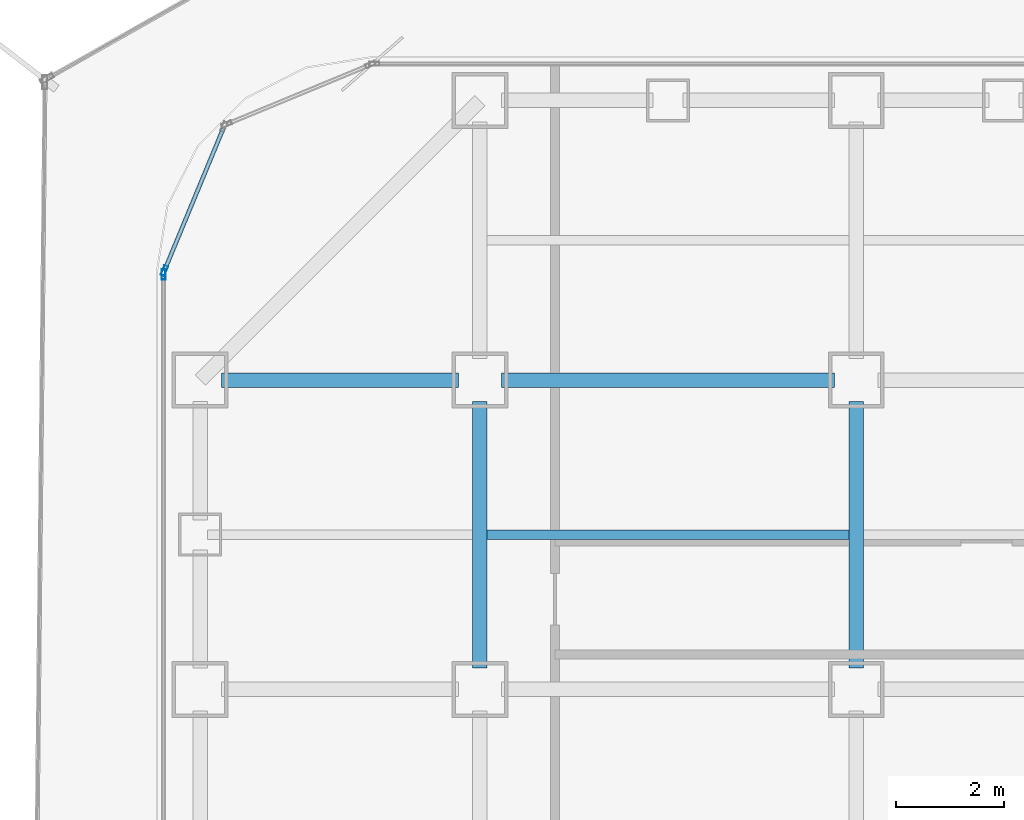
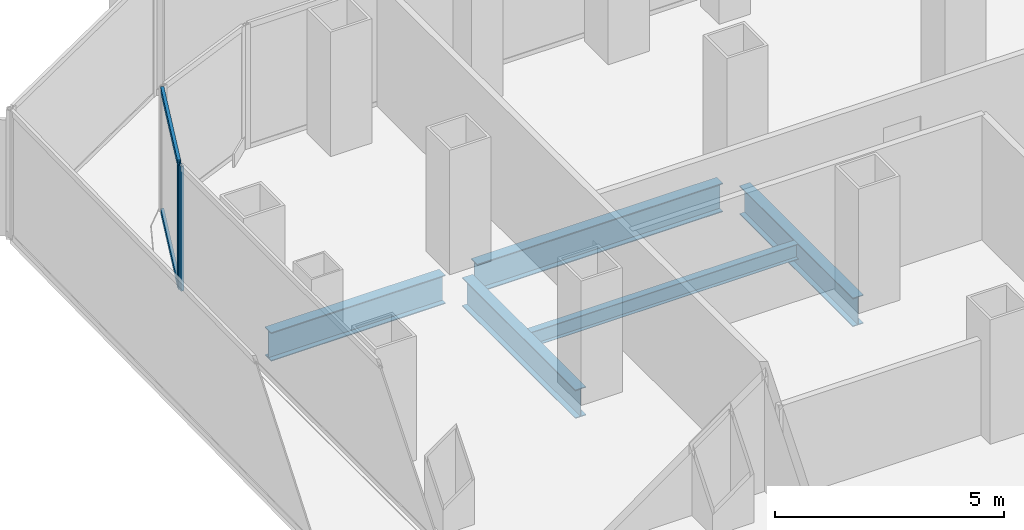
# One storey, part 10 of 21: 5 beams, 4 members, 2 elements without a shape of their own.
"""IFC4 building model written with IfcOpenShell, lengths in metres."""

from ifc_helpers import new_model, si_unit, direction, frame, origin, origin_2d, place, context, subcontext, project, spatial, hollow_rectangle, i_section, extrude, source, transform, mapped, material, layer, layer_set, material_profile, profile_set, type_object, element, aggregate, save


model = new_model("IFC4")

# Units and contexts
model_context = context("Model", 3, precision=1e-05, world=origin(), true_north=direction((0.0, 1.0)))
body_context = subcontext(model_context, "Body", "Model", "MODEL_VIEW")
ifc_project = project(units=[si_unit("LENGTHUNIT", "METRE"), si_unit("AREAUNIT", "SQUARE_METRE"), si_unit("VOLUMEUNIT", "CUBIC_METRE"), si_unit("PLANEANGLEUNIT", "RADIAN"), si_unit("MASSUNIT", "GRAM", prefix="KILO")], contexts=[model_context])

# Site, building, storey
site_placement = place(None, origin())
site = spatial("IfcSite", under=ifc_project, at=site_placement, CompositionType="ELEMENT")
building_placement = place(site_placement, origin())
building = spatial("IfcBuilding", under=site, at=building_placement, Name="Kolveth Station Tower", CompositionType="ELEMENT")
storey_placement = place(building_placement, frame((0.0, 0.0, 40.5)))
storey = spatial("IfcBuildingStorey", under=building, at=storey_placement, Name="L10", CompositionType="ELEMENT", Elevation=40.5)

# Beams
ifc_material_1 = material(Name="Steel S355", Category="steel")
ifc_material_profile_1 = material_profile(ifc_material_1, i_section(OverallWidth=0.26708984375, OverallDepth=0.76611328125, WebThickness=0.014892578125, FlangeThickness=0.023681640625, at=origin_2d()), Name="W760x185")
ifc_profile_set_1 = profile_set([ifc_material_profile_1], Name="Steel S355")
beam_type_1 = type_object("IfcBeamType", Name="Beam_B3", PredefinedType="BEAM", material=ifc_profile_set_1)
shared_shape_1 = source(origin(), body_context, "Body", "SweptSolid", [
    extrude(i_section(OverallWidth=0.26708984375, OverallDepth=0.76611328125, WebThickness=0.014892578125, FlangeThickness=0.023681640625, at=origin_2d()), origin(), (0.0, 0.0, 1.0), 4.400146484375),
])
beam_1_placement = place(storey_placement, frame((1.199951171875, 34.5, -0.6630859375), z_axis=(1.0, 0.0, 0.0), x_axis=(0.0, 1.0, 0.0)))
element("IfcBeam", 1, at=beam_1_placement, inside=storey, type_object=beam_type_1, Name="L10 Primary Girder BM-L10-GY345-1", PredefinedType="BEAM", context=body_context, shape_type="MappedRepresentation", body=[
    mapped(shared_shape_1, transform((0.0, 0.0, 0.0), x_axis=(1.0, 0.0, 0.0), y_axis=(0.0, 1.0, 0.0), z_axis=(0.0, 0.0, 1.0), scale=1.0)),
])
shared_shape_2 = source(origin(), body_context, "Body", "SweptSolid", [
    extrude(i_section(OverallWidth=0.26708984375, OverallDepth=0.76611328125, WebThickness=0.014892578125, FlangeThickness=0.023681640625, at=origin_2d()), origin(), (0.0, 0.0, 1.0), 6.2001953125),
])
beam_2_placement = place(storey_placement, frame((6.39990234375, 34.5, -0.6630859375), z_axis=(1.0, 0.0, 0.0), x_axis=(0.0, 1.0, 0.0)))
element("IfcBeam", 2, at=beam_2_placement, inside=storey, type_object=beam_type_1, Name="L10 Primary Girder BM-L10-GY345-2", PredefinedType="BEAM", context=body_context, shape_type="MappedRepresentation", body=[
    mapped(shared_shape_2, transform((0.0, 0.0, 0.0), x_axis=(1.0, 0.0, 0.0), y_axis=(0.0, 1.0, 0.0), z_axis=(0.0, 0.0, 1.0), scale=1.0)),
])
shared_shape_3 = source(origin(), body_context, "Body", "SweptSolid", [
    extrude(i_section(OverallWidth=0.26708984375, OverallDepth=0.76611328125, WebThickness=0.014892578125, FlangeThickness=0.023681640625, at=origin_2d()), origin(), (0.0, 0.0, 1.0), 4.9501953125),
])
for number, where, z_axis, x_axis, name in (
    (3, (6.0, 29.14990234375, -0.6630859375), (0.0, 1.0, 0.0), (-1.0, 0.0, 0.0), "L10 Primary Girder BM-L10-GX60-6"),
    (4, (13.0, 29.14990234375, -0.6630859375), (0.0, 1.0, 0.0), (-1.0, 0.0, 0.0), "L10 Primary Girder BM-L10-GX130-6"),
):
    element("IfcBeam", number, at=place(storey_placement, frame(where, z_axis=z_axis, x_axis=x_axis)), inside=storey, type_object=beam_type_1, Name=name, PredefinedType="BEAM", context=body_context, shape_type="MappedRepresentation", body=[
        mapped(shared_shape_3, transform((0.0, 0.0, 0.0), x_axis=(1.0, 0.0, 0.0), y_axis=(0.0, 1.0, 0.0), z_axis=(0.0, 0.0, 1.0), scale=1.0)),
    ])
ifc_material_profile_2 = material_profile(ifc_material_1, i_section(OverallWidth=0.177978515625, OverallDepth=0.406982421875, WebThickness=0.0078125, FlangeThickness=0.0126953125, at=origin_2d()), Name="W410x60")
ifc_profile_set_2 = profile_set([ifc_material_profile_2], Name="Steel S355")
beam_type_2 = type_object("IfcBeamType", Name="Beam_J1", PredefinedType="JOIST", material=ifc_profile_set_2)
shared_shape_4 = source(origin(), body_context, "Body", "SweptSolid", [
    extrude(i_section(OverallWidth=0.177978515625, OverallDepth=0.406982421875, WebThickness=0.0078125, FlangeThickness=0.0126953125, at=origin_2d()), origin(), (0.0, 0.0, 1.0), 6.73681640625),
])
beam_3_placement = place(storey_placement, frame((6.131591796875, 31.625, -0.4833984375), z_axis=(1.0, 0.0, 0.0), x_axis=(0.0, 1.0, 0.0)))
element("IfcBeam", 5, at=beam_3_placement, inside=storey, type_object=beam_type_2, Name="L10 Secondary Joist JST-L10-2-6", PredefinedType="JOIST", context=body_context, shape_type="MappedRepresentation", body=[
    mapped(shared_shape_4, transform((0.0, 0.0, 0.0), x_axis=(1.0, 0.0, 0.0), y_axis=(0.0, 1.0, 0.0), z_axis=(0.0, 0.0, 1.0), scale=1.0)),
])

# Curtain wall, member
ifc_material_2 = material(Name="Aluminium 6063-T6 and low-E dark glass", Category="aluminium")
ifc_layer = layer(ifc_material_2, 0.179931640625)
ifc_layer_set = layer_set([ifc_layer], Name="Aluminium 6063-T6 and low-E dark glass")
curtain_wall_type = type_object("IfcCurtainWallType", Name="CurtainWall_CW-Z1", PredefinedType="NOTDEFINED", material=ifc_layer_set)
curtain_wall_1_placement = place(storey_placement, origin())
curtain_wall_1 = element("IfcCurtainWall", 6, at=curtain_wall_1_placement, inside=storey, type_object=curtain_wall_type, Name="L10 Inner Thermal Curtain Wall 8", PredefinedType="NOTDEFINED")
ifc_material_3 = material(Name="Black anodized aluminium 6063-T6", Category="aluminium")
ifc_material_profile_3 = material_profile(ifc_material_3, hollow_rectangle(XDim=0.074951171875, YDim=0.18994140625, WallThickness=0.0048828125, at=origin_2d()), Name="ALU-75x190x5")
ifc_profile_set_3 = profile_set([ifc_material_profile_3], Name="Black anodized aluminium 6063-T6")
member_type_1 = type_object("IfcMemberType", Name="Mullion_ML1", PredefinedType="MULLION", material=ifc_profile_set_3)
shared_shape_5 = source(origin(), body_context, "Body", "SweptSolid", [
    extrude(hollow_rectangle(XDim=0.074951171875, YDim=0.18994140625, WallThickness=0.0048828125, at=origin_2d()), origin(), (0.0, 0.0, 1.0), 3.320068359375),
])
member_1_placement = place(storey_placement, frame((0.13427734375, 36.53466796875, 0.0), z_axis=(0.0, 0.0, 1.0), x_axis=(0.923883857728, -0.382672990201, 0.0)))
member_1 = element("IfcMember", 7, at=member_1_placement, type_object=member_type_1, Name="CW-Z1 mullion 2", PredefinedType="MULLION", context=body_context, shape_type="MappedRepresentation", body=[
    mapped(shared_shape_5, transform((0.0, 0.0, 0.0), x_axis=(1.0, 0.0, 0.0), y_axis=(0.0, 1.0, 0.0), z_axis=(0.0, 0.0, 1.0), scale=1.0)),
])

curtain_wall_2_placement = place(storey_placement, origin())
curtain_wall_2 = element("IfcCurtainWall", 8, at=curtain_wall_2_placement, inside=storey, type_object=curtain_wall_type, Name="L10 Inner Thermal Curtain Wall 9", PredefinedType="NOTDEFINED")
member_2_placement = place(storey_placement, frame((0.1201171875, 36.46240234375, 0.0), z_axis=(0.0, 0.0, 1.0), x_axis=(1.0, 0.0, 0.0)))
member_2 = element("IfcMember", 9, at=member_2_placement, type_object=member_type_1, Name="CW-Z1 mullion 1", PredefinedType="MULLION", context=body_context, shape_type="MappedRepresentation", body=[
    mapped(shared_shape_5, transform((0.0, 0.0, 0.0), x_axis=(1.0, 0.0, 0.0), y_axis=(0.0, 1.0, 0.0), z_axis=(0.0, 0.0, 1.0), scale=1.0)),
])
aggregate(curtain_wall_2, [member_2])

# Member
ifc_material_profile_4 = material_profile(ifc_material_3, hollow_rectangle(XDim=0.074951171875, YDim=0.159912109375, WallThickness=0.0048828125, at=origin_2d()), Name="ALU-75x160x5")
ifc_profile_set_4 = profile_set([ifc_material_profile_4], Name="Black anodized aluminium 6063-T6")
member_type_2 = type_object("IfcMemberType", Name="Transom_TR1", PredefinedType="USERDEFINED", material=ifc_profile_set_4)
shared_shape_6 = source(origin(), body_context, "Body", "SweptSolid", [
    extrude(hollow_rectangle(XDim=0.074951171875, YDim=0.159912109375, WallThickness=0.0048828125, at=origin_2d()), origin(), (0.0, 0.0, 1.0), 2.819580078125),
])
member_3_placement = place(storey_placement, frame((1.227783203125, 39.17431640625, 0.03759765625), z_axis=(-0.382708655389, -0.923869084389, 0.0), x_axis=(0.923869084389, -0.382708655389, 0.0)))
member_3 = element("IfcMember", 10, at=member_3_placement, type_object=member_type_2, Name="CW-Z1 transom 1.1", ObjectType="TRANSOM", PredefinedType="USERDEFINED", context=body_context, shape_type="MappedRepresentation", body=[
    mapped(shared_shape_6, transform((0.0, 0.0, 0.0), x_axis=(1.0, 0.0, 0.0), y_axis=(0.0, 1.0, 0.0), z_axis=(0.0, 0.0, 1.0), scale=1.0)),
])

member_4_placement = place(storey_placement, frame((1.227783203125, 39.17431640625, 3.282470703125), z_axis=(-0.382708655389, -0.923869084389, 0.0), x_axis=(0.923869084389, -0.382708655389, 0.0)))
member_4 = element("IfcMember", 11, at=member_4_placement, type_object=member_type_2, Name="CW-Z1 transom 1.2", ObjectType="TRANSOM", PredefinedType="USERDEFINED", context=body_context, shape_type="MappedRepresentation", body=[
    mapped(shared_shape_6, transform((0.0, 0.0, 0.0), x_axis=(1.0, 0.0, 0.0), y_axis=(0.0, 1.0, 0.0), z_axis=(0.0, 0.0, 1.0), scale=1.0)),
])

aggregate(curtain_wall_1, [member_1, member_3, member_4])

save(model, "model.ifc")
